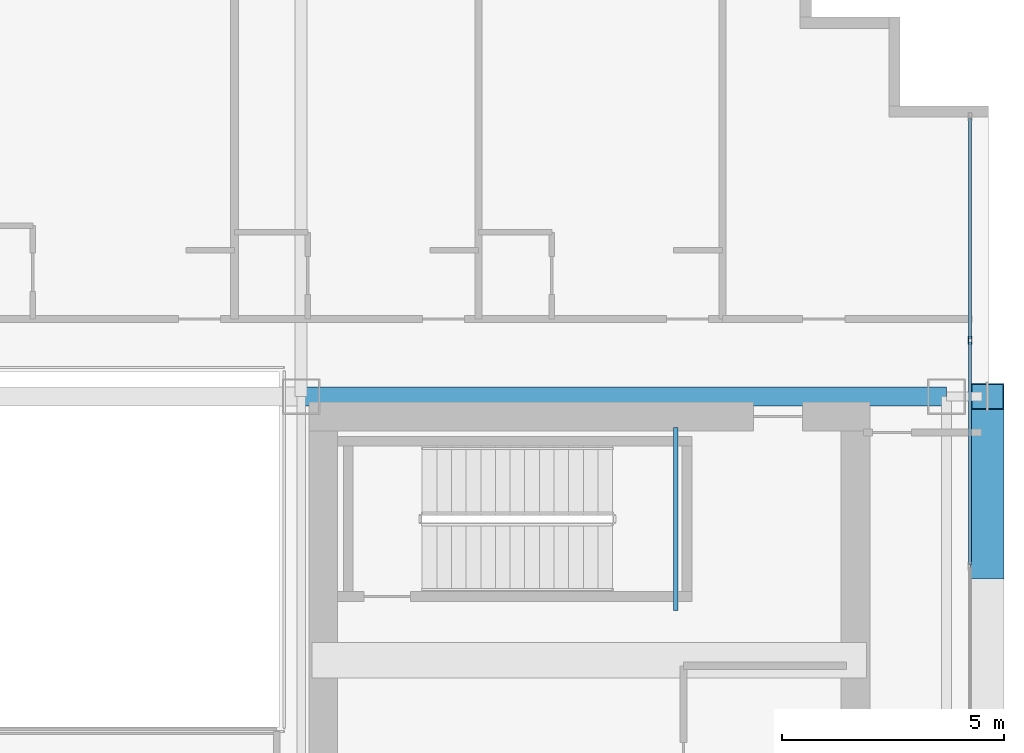
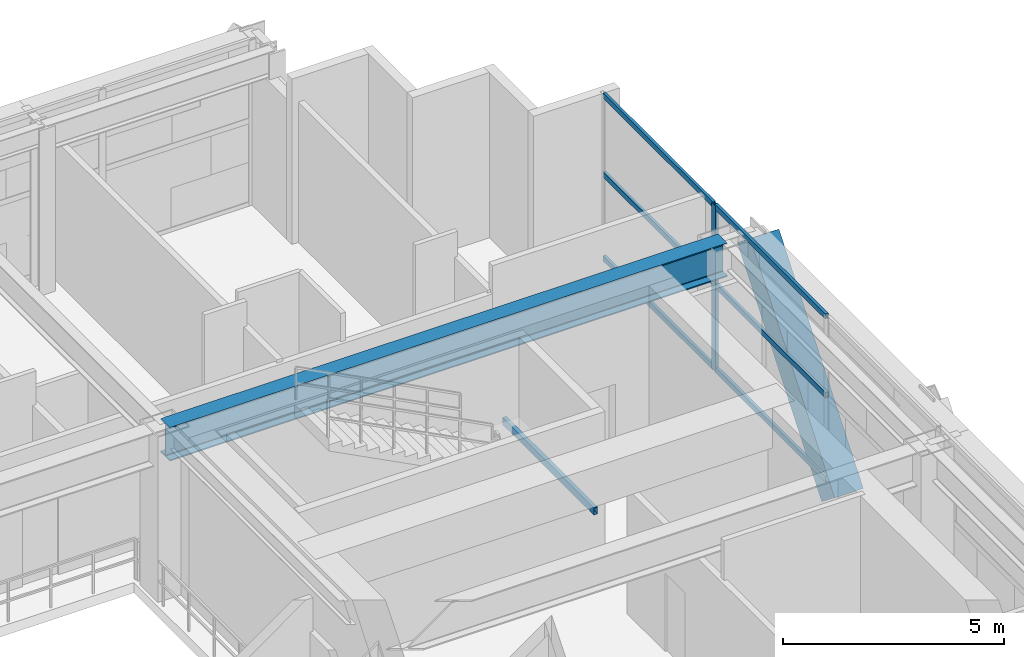
# One storey, part 22 of 38: 8 members, 2 beams, 1 element without a shape of its own.
"""IFC4 building model written with IfcOpenShell, lengths in metres."""

from ifc_helpers import new_model, si_unit, direction, frame, origin, origin_2d, place, context, subcontext, project, spatial, hollow_rectangle, i_section, extrude, source, transform, mapped, material, layer, layer_set, material_profile, profile_set, type_object, element, aggregate, save


model = new_model("IFC4")

# Units and contexts
model_context = context("Model", 3, precision=1e-05, world=origin(), true_north=direction((0.0, 1.0)))
body_context = subcontext(model_context, "Body", "Model", "MODEL_VIEW")
ifc_project = project(units=[si_unit("LENGTHUNIT", "METRE"), si_unit("AREAUNIT", "SQUARE_METRE"), si_unit("VOLUMEUNIT", "CUBIC_METRE"), si_unit("PLANEANGLEUNIT", "RADIAN"), si_unit("MASSUNIT", "GRAM", prefix="KILO")], contexts=[model_context])

# Site, building, storey
site_placement = place(None, origin())
site = spatial("IfcSite", under=ifc_project, at=site_placement, CompositionType="ELEMENT")
building_placement = place(site_placement, origin())
building = spatial("IfcBuilding", under=site, at=building_placement, Name="Ocotamira Hotel", CompositionType="ELEMENT")
storey_placement = place(building_placement, frame((0.0, 0.0, 92.39990234375)))
storey = spatial("IfcBuildingStorey", under=building, at=storey_placement, Name="L22", CompositionType="ELEMENT", Elevation=92.39990234375)

# Beams
ifc_material_1 = material(Name="Steel ASTM A500 Grade C", Category="steel")
ifc_material_profile_1 = material_profile(ifc_material_1, hollow_rectangle(XDim=0.10009765625, YDim=0.199951171875, WallThickness=0.008056640625, at=origin_2d()), Name="HSS200X100X8")
ifc_profile_set_1 = profile_set([ifc_material_profile_1], Name="Steel ASTM A500 Grade C")
beam_type_1 = type_object("IfcBeamType", Name="BM-STLDG-HSS200", PredefinedType="BEAM", material=ifc_profile_set_1)
shared_shape_1 = source(origin(), body_context, "Body", "SweptSolid", [
    extrude(hollow_rectangle(XDim=0.10009765625, YDim=0.199951171875, WallThickness=0.008056640625, at=origin_2d()), origin(), (0.0, 0.0, 1.0), 4.1201171875),
])
beam_1_placement = place(storey_placement, frame((48.949951171875, 32.6298828125, 2.10009765625), z_axis=(0.0, 1.0, 0.0), x_axis=(-1.0, 0.0, 0.0)))
element("IfcBeam", 1, at=beam_1_placement, inside=storey, type_object=beam_type_1, Name="L22 Stair ST-4 Landing Bearer 1", PredefinedType="BEAM", context=body_context, shape_type="MappedRepresentation", body=[
    mapped(shared_shape_1, transform((0.0, 0.0, 0.0), scale=1.0)),
])
ifc_material_2 = material(Name="Steel ASTM A992 Grade 50", Category="steel")
ifc_material_profile_2 = material_profile(ifc_material_2, i_section(OverallWidth=0.41796875, OverallDepth=0.927001953125, WebThickness=0.019287109375, FlangeThickness=0.031982421875, FilletRadius=0.02392578125, at=origin_2d()), Name="W36X231")
ifc_profile_set_2 = profile_set([ifc_material_profile_2], Name="Steel ASTM A992 Grade 50")
beam_type_2 = type_object("IfcBeamType", Name="BM-GIRD-W36X231", PredefinedType="BEAM", material=ifc_profile_set_2)
shared_shape_2 = source(origin(), body_context, "Body", "SweptSolid", [
    extrude(i_section(OverallWidth=0.41796875, OverallDepth=0.927001953125, WebThickness=0.019287109375, FlangeThickness=0.031982421875, FilletRadius=0.02392578125, at=origin_2d()), origin(), (0.0, 0.0, 1.0), 14.550048828125),
])
beam_2_placement = place(storey_placement, frame((40.5, 37.449951171875, 4.0966796875), z_axis=(1.0, 0.0, 0.0), x_axis=(0.0, 1.0, 0.0)))
element("IfcBeam", 2, at=beam_2_placement, inside=storey, type_object=beam_type_2, Name="L22 Girder Y37.45 X40.5-55.05", PredefinedType="BEAM", context=body_context, shape_type="MappedRepresentation", body=[
    mapped(shared_shape_2, transform((0.0, 0.0, 0.0), scale=1.0)),
])

# Member
ifc_material_3 = material(Name="Pale-metal coated steel ASTM A913 Grade 65", Category="steel")
ifc_material_profile_3 = material_profile(ifc_material_3, hollow_rectangle(XDim=0.75, YDim=0.75, WallThickness=0.028076171875, at=origin_2d()), Name="BOX750X750X28")
ifc_profile_set_3 = profile_set([ifc_material_profile_3], Name="Pale-metal coated steel ASTM A913 Grade 65")
member_type_1 = type_object("IfcMemberType", Name="MEM-EXO-BOX750", PredefinedType="BRACE", material=ifc_profile_set_3)
shared_shape_3 = source(origin(), body_context, "Body", "SweptSolid", [
    extrude(hollow_rectangle(XDim=0.75, YDim=0.75, WallThickness=0.028076171875, at=origin_2d()), origin(), (0.0, 0.0, 1.0), 6.16357421875),
])
member_1_placement = place(storey_placement, frame((55.969970703125, 33.63330078125, -0.52978515625), z_axis=(0.0, 0.619216534821, 0.785220276741), x_axis=(-1.0, 0.0, 0.0)))
element("IfcMember", 3, at=member_1_placement, inside=storey, type_object=member_type_1, Name="L22 Exoskeleton Diagrid E2.2", PredefinedType="BRACE", context=body_context, shape_type="MappedRepresentation", body=[
    mapped(shared_shape_3, transform((0.0, 0.0, 0.0), scale=1.0)),
])

# Curtain wall, members
ifc_material_4 = material(Name="Anodised pale-metal aluminium and solar glass", Category="aluminium")
ifc_layer = layer(ifc_material_4, 0.239990234375)
ifc_layer_set = layer_set([ifc_layer], Name="Anodised pale-metal aluminium and solar glass")
curtain_wall_type = type_object("IfcCurtainWallType", Name="CW-SYS5-SKY", PredefinedType="NOTDEFINED", material=ifc_layer_set)
curtain_wall_placement = place(storey_placement, origin())
curtain_wall = element("IfcCurtainWall", 4, at=curtain_wall_placement, inside=storey, type_object=curtain_wall_type, Name="L22 Curtain Wall CW-5 CW-L22-E", PredefinedType="NOTDEFINED")
ifc_material_5 = material(Name="Anodised pale-metal aluminium 6063-T6", Category="aluminium")
ifc_material_profile_4 = material_profile(ifc_material_5, hollow_rectangle(XDim=0.074951171875, YDim=0.14990234375, WallThickness=0.006103515625, at=origin_2d()), Name="HSS150X75X6")
ifc_profile_set_4 = profile_set([ifc_material_profile_4], Name="Anodised pale-metal aluminium 6063-T6")
member_type_2 = type_object("IfcMemberType", Name="CWT-150X75", PredefinedType="USERDEFINED", material=ifc_profile_set_4)
shared_shape_4 = source(origin(), body_context, "Body", "SweptSolid", [
    extrude(hollow_rectangle(XDim=0.074951171875, YDim=0.14990234375, WallThickness=0.006103515625, at=origin_2d()), origin(), (0.0, 0.0, 1.0), 4.965576171875),
])
member_2_placement = place(storey_placement, frame((55.580078125, 38.75439453125, 0.03759765625), z_axis=(0.0, 1.0, 0.0), x_axis=(-1.0, 0.0, 0.0)))
member_2 = element("IfcMember", 5, at=member_2_placement, type_object=member_type_2, Name="CW-5 transom 7.1", ObjectType="TRANSOM", PredefinedType="USERDEFINED", context=body_context, shape_type="MappedRepresentation", body=[
    mapped(shared_shape_4, transform((0.0, 0.0, 0.0), scale=1.0)),
])
member_3_placement = place(storey_placement, frame((55.580078125, 38.75439453125, 2.35009765625), z_axis=(0.0, 1.0, 0.0), x_axis=(-1.0, 0.0, 0.0)))
member_3 = element("IfcMember", 6, at=member_3_placement, type_object=member_type_2, Name="CW-5 transom 7.2", ObjectType="TRANSOM", PredefinedType="USERDEFINED", context=body_context, shape_type="MappedRepresentation", body=[
    mapped(shared_shape_4, transform((0.0, 0.0, 0.0), scale=1.0)),
])
member_4_placement = place(storey_placement, frame((55.580078125, 38.75439453125, 4.522705078125), z_axis=(0.0, 1.0, 0.0), x_axis=(-1.0, 0.0, 0.0)))
member_4 = element("IfcMember", 7, at=member_4_placement, type_object=member_type_2, Name="CW-5 transom 7.3", ObjectType="TRANSOM", PredefinedType="USERDEFINED", context=body_context, shape_type="MappedRepresentation", body=[
    mapped(shared_shape_4, transform((0.0, 0.0, 0.0), scale=1.0)),
])
shared_shape_5 = source(origin(), body_context, "Body", "SweptSolid", [
    extrude(hollow_rectangle(XDim=0.074951171875, YDim=0.14990234375, WallThickness=0.006103515625, at=origin_2d()), origin(), (0.0, 0.0, 1.0), 5.005859375),
])
member_5_placement = place(storey_placement, frame((55.580078125, 33.66845703125, 0.03759765625), z_axis=(0.0, 1.0, 0.0), x_axis=(-1.0, 0.0, 0.0)))
member_5 = element("IfcMember", 8, at=member_5_placement, type_object=member_type_2, Name="CW-5 transom 6.1", ObjectType="TRANSOM", PredefinedType="USERDEFINED", context=body_context, shape_type="MappedRepresentation", body=[
    mapped(shared_shape_5, transform((0.0, 0.0, 0.0), scale=1.0)),
])
member_6_placement = place(storey_placement, frame((55.580078125, 33.66845703125, 2.35009765625), z_axis=(0.0, 1.0, 0.0), x_axis=(-1.0, 0.0, 0.0)))
member_6 = element("IfcMember", 9, at=member_6_placement, type_object=member_type_2, Name="CW-5 transom 6.2", ObjectType="TRANSOM", PredefinedType="USERDEFINED", context=body_context, shape_type="MappedRepresentation", body=[
    mapped(shared_shape_5, transform((0.0, 0.0, 0.0), scale=1.0)),
])
member_7_placement = place(storey_placement, frame((55.580078125, 33.66845703125, 4.522705078125), z_axis=(0.0, 1.0, 0.0), x_axis=(-1.0, 0.0, 0.0)))
member_7 = element("IfcMember", 10, at=member_7_placement, type_object=member_type_2, Name="CW-5 transom 6.3", ObjectType="TRANSOM", PredefinedType="USERDEFINED", context=body_context, shape_type="MappedRepresentation", body=[
    mapped(shared_shape_5, transform((0.0, 0.0, 0.0), scale=1.0)),
])
ifc_material_profile_5 = material_profile(ifc_material_5, hollow_rectangle(XDim=0.080078125, YDim=0.179931640625, WallThickness=0.006103515625, at=origin_2d()), Name="HSS180X80X6")
ifc_profile_set_5 = profile_set([ifc_material_profile_5], Name="Anodised pale-metal aluminium 6063-T6")
member_type_3 = type_object("IfcMemberType", Name="CWM-180X75", PredefinedType="MULLION", material=ifc_profile_set_5)
shared_shape_6 = source(origin(), body_context, "Body", "SweptSolid", [
    extrude(hollow_rectangle(XDim=0.080078125, YDim=0.179931640625, WallThickness=0.006103515625, at=origin_2d()), origin(), (0.0, 0.0, 1.0), 4.56005859375),
])
member_8_placement = place(storey_placement, frame((55.580078125, 38.71435546875, 0.0), z_axis=(0.0, 0.0, 1.0), x_axis=(-1.0, 0.0, 0.0)))
member_8 = element("IfcMember", 11, at=member_8_placement, type_object=member_type_3, Name="CW-5 mullion 7", PredefinedType="MULLION", context=body_context, shape_type="MappedRepresentation", body=[
    mapped(shared_shape_6, transform((0.0, 0.0, 0.0), scale=1.0)),
])
aggregate(curtain_wall, [member_8, member_5, member_6, member_7, member_2, member_3, member_4])

save(model, "model.ifc")
